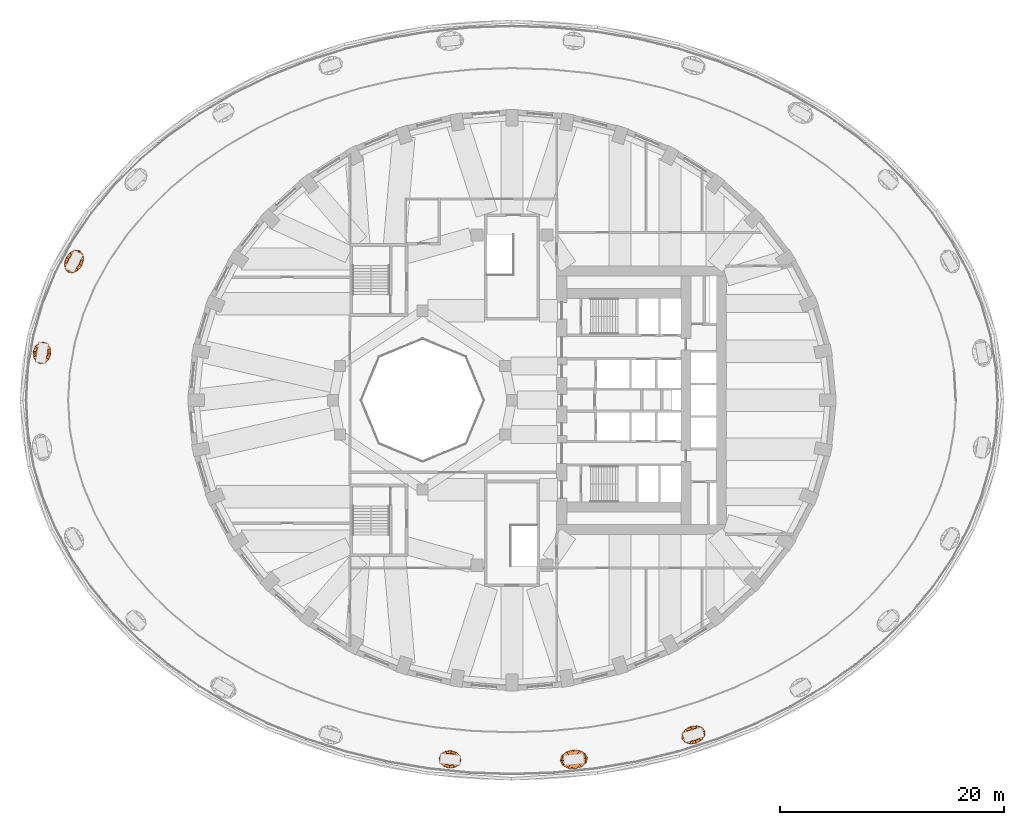
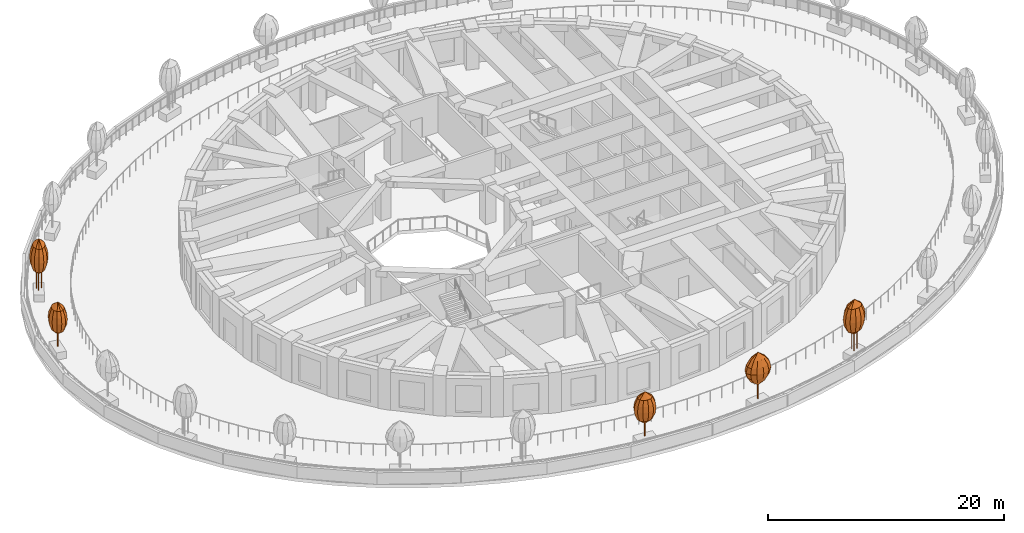
# One storey, part 14 of 17: 5 geographic elements.
"""IFC4 building model written with IfcOpenShell, lengths in metres."""

from ifc_helpers import new_model, si_unit, direction, frame, origin, place, context, subcontext, project, spatial, faceted_brep, material, constituent, constituent_set, type_object, element, save


model = new_model("IFC4")

# Units and contexts
model_context = context("Model", 3, precision=1e-05, world=origin(), true_north=direction((0.0, 1.0)))
body_context = subcontext(model_context, "Body", "Model", "MODEL_VIEW")
ifc_project = project(units=[si_unit("LENGTHUNIT", "METRE"), si_unit("AREAUNIT", "SQUARE_METRE"), si_unit("VOLUMEUNIT", "CUBIC_METRE"), si_unit("PLANEANGLEUNIT", "RADIAN"), si_unit("MASSUNIT", "GRAM", prefix="KILO")], contexts=[model_context])

# Site, building, storey
site_placement = place(None, origin())
site = spatial("IfcSite", under=ifc_project, at=site_placement, CompositionType="ELEMENT")
building_placement = place(site_placement, origin())
building = spatial("IfcBuilding", under=site, at=building_placement, Name="Taillehof Tower", CompositionType="ELEMENT")
storey_placement = place(building_placement, frame((0.0, 0.0, 17.5)))
storey = spatial("IfcBuildingStorey", under=building, at=storey_placement, Name="L03", CompositionType="ELEMENT", Elevation=17.5)

# Geographic elements
ifc_material_1 = material(Name="Tree bark", Category="timber")
ifc_constituent_1 = constituent(ifc_material_1, Name="Trunk", Category="timber")
ifc_material_2 = material(Name="Tree foliage")
ifc_constituent_2 = constituent(ifc_material_2, Name="Crown")
ifc_constituent_set_1 = constituent_set(constituents=[ifc_constituent_1, ifc_constituent_2], Name="Tree TR6 Field maple")
geographic_element_type_1 = type_object("IfcGeographicElementType", Name="Tree TR6 Field maple", PredefinedType="USERDEFINED", material=ifc_constituent_set_1)
geographic_element_1_placement = place(storey_placement, frame((5.5341796875, -32.122802734375, 0.75)))
element("IfcGeographicElement", 1, at=geographic_element_1_placement, inside=storey, type_object=geographic_element_type_1, Name="Tree TR6 Field maple", ObjectType="TREE", PredefinedType="USERDEFINED", context=body_context, shape_type="Brep", body=[
    faceted_brep([(0.070068359375, 0.0, 0.0), (0.049560546875, 0.049560546875, 0.0), (0.049560546875, 0.049560546875, 2.590087890625), (0.070068359375, 0.0, 2.590087890625), (0.0, 0.070068359375, 0.0), (0.0, 0.070068359375, 2.590087890625), (-0.049560546875, 0.049560546875, 0.0), (-0.049560546875, 0.049560546875, 2.590087890625), (-0.070068359375, 0.0, 0.0), (-0.070068359375, 0.0, 2.590087890625), (-0.049560546875, -0.049560546875, 0.0), (-0.049560546875, -0.049560546875, 2.590087890625), (0.0, -0.070068359375, 0.0), (0.0, -0.070068359375, 2.590087890625), (0.049560546875, -0.049560546875, 0.0), (0.049560546875, -0.049560546875, 2.590087890625)], [[[0, 1, 2, 3]], [[1, 4, 5, 2]], [[4, 6, 7, 5]], [[6, 8, 9, 7]], [[8, 10, 11, 9]], [[10, 12, 13, 11]], [[12, 14, 15, 13]], [[14, 0, 3, 15]], [[14, 12, 10, 8, 6, 4, 1, 0]], [[3, 2, 5, 7, 9, 11, 13, 15]]]),
    faceted_brep([(0.0, 0.0, 1.39990234375), (0.586669921875, 0.305908203125, 1.966552734375), (0.705810546875, 0.071044921875, 1.966552734375), (0.310302734375, 0.458740234375, 1.966552734375), (-0.049072265625, 0.488525390625, 1.966552734375), (-0.3955078125, 0.3876953125, 1.966552734375), (-0.6357421875, 0.182861328125, 1.966552734375), (-0.705810546875, -0.071044921875, 1.966552734375), (-0.586669921875, -0.305908203125, 1.966552734375), (-0.310302734375, -0.458740234375, 1.966552734375), (0.049072265625, -0.488525390625, 1.966552734375), (0.3955078125, -0.3876953125, 1.966552734375), (0.6357421875, -0.182861328125, 1.966552734375), (0.910400390625, 0.474609375, 2.533447265625), (1.09521484375, 0.110107421875, 2.533447265625), (0.4814453125, 0.711669921875, 2.533447265625), (-0.076171875, 0.75830078125, 2.533447265625), (-0.61376953125, 0.6015625, 2.533447265625), (-0.986572265625, 0.28369140625, 2.533447265625), (-1.09521484375, -0.110107421875, 2.533447265625), (-0.910400390625, -0.474609375, 2.533447265625), (-0.4814453125, -0.711669921875, 2.533447265625), (0.076171875, -0.75830078125, 2.533447265625), (0.61376953125, -0.6015625, 2.533447265625), (0.986572265625, -0.28369140625, 2.533447265625), (1.021484375, 0.532470703125, 3.10009765625), (1.228759765625, 0.12353515625, 3.10009765625), (0.540283203125, 0.798583984375, 3.10009765625), (-0.085693359375, 0.8505859375, 3.10009765625), (-0.6884765625, 0.6748046875, 3.10009765625), (-1.10693359375, 0.318359375, 3.10009765625), (-1.228759765625, -0.12353515625, 3.10009765625), (-1.021484375, -0.532470703125, 3.10009765625), (-0.540283203125, -0.798583984375, 3.10009765625), (0.085693359375, -0.8505859375, 3.10009765625), (0.6884765625, -0.6748046875, 3.10009765625), (1.10693359375, -0.318359375, 3.10009765625), (0.910400390625, 0.474609375, 3.666748046875), (1.09521484375, 0.110107421875, 3.666748046875), (0.4814453125, 0.711669921875, 3.666748046875), (-0.076171875, 0.75830078125, 3.666748046875), (-0.61376953125, 0.6015625, 3.666748046875), (-0.986572265625, 0.28369140625, 3.666748046875), (-1.09521484375, -0.110107421875, 3.666748046875), (-0.910400390625, -0.474609375, 3.666748046875), (-0.4814453125, -0.711669921875, 3.666748046875), (0.076171875, -0.75830078125, 3.666748046875), (0.61376953125, -0.6015625, 3.666748046875), (0.986572265625, -0.28369140625, 3.666748046875), (0.586669921875, 0.305908203125, 4.2333984375), (0.705810546875, 0.071044921875, 4.2333984375), (0.310302734375, 0.458740234375, 4.2333984375), (-0.049072265625, 0.488525390625, 4.2333984375), (-0.3955078125, 0.3876953125, 4.2333984375), (-0.6357421875, 0.182861328125, 4.2333984375), (-0.705810546875, -0.071044921875, 4.2333984375), (-0.586669921875, -0.305908203125, 4.2333984375), (-0.310302734375, -0.458740234375, 4.2333984375), (0.049072265625, -0.488525390625, 4.2333984375), (0.3955078125, -0.3876953125, 4.2333984375), (0.6357421875, -0.182861328125, 4.2333984375), (0.0, 0.0, 4.800048828125)], [[[0, 1, 2]], [[0, 3, 1]], [[0, 4, 3]], [[0, 5, 4]], [[0, 6, 5]], [[0, 7, 6]], [[0, 8, 7]], [[0, 9, 8]], [[0, 10, 9]], [[0, 11, 10]], [[0, 12, 11]], [[0, 2, 12]], [[2, 1, 13, 14]], [[1, 3, 15, 13]], [[3, 4, 16, 15]], [[4, 5, 17, 16]], [[5, 6, 18, 17]], [[6, 7, 19, 18]], [[7, 8, 20, 19]], [[8, 9, 21, 20]], [[9, 10, 22, 21]], [[10, 11, 23, 22]], [[11, 12, 24, 23]], [[12, 2, 14, 24]], [[14, 13, 25, 26]], [[13, 15, 27, 25]], [[15, 16, 28, 27]], [[16, 17, 29, 28]], [[17, 18, 30, 29]], [[18, 19, 31, 30]], [[19, 20, 32, 31]], [[20, 21, 33, 32]], [[21, 22, 34, 33]], [[22, 23, 35, 34]], [[23, 24, 36, 35]], [[24, 14, 26, 36]], [[26, 25, 37, 38]], [[25, 27, 39, 37]], [[27, 28, 40, 39]], [[28, 29, 41, 40]], [[29, 30, 42, 41]], [[30, 31, 43, 42]], [[31, 32, 44, 43]], [[32, 33, 45, 44]], [[33, 34, 46, 45]], [[34, 35, 47, 46]], [[35, 36, 48, 47]], [[36, 26, 38, 48]], [[38, 37, 49, 50]], [[37, 39, 51, 49]], [[39, 40, 52, 51]], [[40, 41, 53, 52]], [[41, 42, 54, 53]], [[42, 43, 55, 54]], [[43, 44, 56, 55]], [[44, 45, 57, 56]], [[45, 46, 58, 57]], [[46, 47, 59, 58]], [[47, 48, 60, 59]], [[48, 38, 50, 60]], [[50, 49, 61]], [[49, 51, 61]], [[51, 52, 61]], [[52, 53, 61]], [[53, 54, 61]], [[54, 55, 61]], [[55, 56, 61]], [[56, 57, 61]], [[57, 58, 61]], [[58, 59, 61]], [[59, 60, 61]], [[60, 50, 61]]]),
])
ifc_material_3 = material(Name="Tree bark", Category="timber")
ifc_constituent_3 = constituent(ifc_material_3, Name="Trunk", Category="timber")
ifc_material_4 = material(Name="Tree foliage")
ifc_constituent_4 = constituent(ifc_material_4, Name="Crown")
ifc_constituent_set_2 = constituent_set(constituents=[ifc_constituent_3, ifc_constituent_4], Name="Tree TR7 Himalayan birch")
geographic_element_type_2 = type_object("IfcGeographicElementType", Name="Tree TR7 Himalayan birch", PredefinedType="USERDEFINED", material=ifc_constituent_set_2)
geographic_element_2_placement = place(storey_placement, frame((-39.172607421875, 12.39892578125, 0.75)))
element("IfcGeographicElement", 2, at=geographic_element_2_placement, inside=storey, type_object=geographic_element_type_2, Name="Tree TR7 Himalayan birch", ObjectType="TREE", PredefinedType="USERDEFINED", context=body_context, shape_type="Brep", body=[
    faceted_brep([(0.3134765625, 0.0, 0.0), (0.30224609375, 0.027099609375, 0.0), (0.30224609375, 0.027099609375, 2.833984375), (0.3134765625, 0.0, 2.833984375), (0.27490234375, 0.03857421875, 0.0), (0.27490234375, 0.03857421875, 2.833984375), (0.247802734375, 0.027099609375, 0.0), (0.247802734375, 0.027099609375, 2.833984375), (0.236572265625, 0.0, 0.0), (0.236572265625, 0.0, 2.833984375), (0.247802734375, -0.027099609375, 0.0), (0.247802734375, -0.027099609375, 2.833984375), (0.27490234375, -0.03857421875, 0.0), (0.27490234375, -0.03857421875, 2.833984375), (0.30224609375, -0.027099609375, 0.0), (0.30224609375, -0.027099609375, 2.833984375)], [[[0, 1, 2, 3]], [[1, 4, 5, 2]], [[4, 6, 7, 5]], [[6, 8, 9, 7]], [[8, 10, 11, 9]], [[10, 12, 13, 11]], [[12, 14, 15, 13]], [[14, 0, 3, 15]], [[14, 12, 10, 8, 6, 4, 1, 0]], [[3, 2, 5, 7, 9, 11, 13, 15]]]),
    faceted_brep([(-0.09912109375, 0.173095703125, 0.0), (-0.1103515625, 0.200439453125, 0.0), (-0.1103515625, 0.200439453125, 2.833984375), (-0.09912109375, 0.173095703125, 2.833984375), (-0.137451171875, 0.211669921875, 0.0), (-0.137451171875, 0.211669921875, 2.833984375), (-0.164794921875, 0.200439453125, 0.0), (-0.164794921875, 0.200439453125, 2.833984375), (-0.176025390625, 0.173095703125, 0.0), (-0.176025390625, 0.173095703125, 2.833984375), (-0.164794921875, 0.14599609375, 0.0), (-0.164794921875, 0.14599609375, 2.833984375), (-0.137451171875, 0.134765625, 0.0), (-0.137451171875, 0.134765625, 2.833984375), (-0.1103515625, 0.14599609375, 0.0), (-0.1103515625, 0.14599609375, 2.833984375)], [[[0, 1, 2, 3]], [[1, 4, 5, 2]], [[4, 6, 7, 5]], [[6, 8, 9, 7]], [[8, 10, 11, 9]], [[10, 12, 13, 11]], [[12, 14, 15, 13]], [[14, 0, 3, 15]], [[14, 12, 10, 8, 6, 4, 1, 0]], [[3, 2, 5, 7, 9, 11, 13, 15]]]),
    faceted_brep([(-0.09912109375, -0.173095703125, 0.0), (-0.1103515625, -0.14599609375, 0.0), (-0.1103515625, -0.14599609375, 2.833984375), (-0.09912109375, -0.173095703125, 2.833984375), (-0.137451171875, -0.134765625, 0.0), (-0.137451171875, -0.134765625, 2.833984375), (-0.164794921875, -0.14599609375, 0.0), (-0.164794921875, -0.14599609375, 2.833984375), (-0.176025390625, -0.173095703125, 0.0), (-0.176025390625, -0.173095703125, 2.833984375), (-0.164794921875, -0.200439453125, 0.0), (-0.164794921875, -0.200439453125, 2.833984375), (-0.137451171875, -0.211669921875, 0.0), (-0.137451171875, -0.211669921875, 2.833984375), (-0.1103515625, -0.200439453125, 0.0), (-0.1103515625, -0.200439453125, 2.833984375)], [[[0, 1, 2, 3]], [[1, 4, 5, 2]], [[4, 6, 7, 5]], [[6, 8, 9, 7]], [[8, 10, 11, 9]], [[10, 12, 13, 11]], [[12, 14, 15, 13]], [[14, 0, 3, 15]], [[14, 12, 10, 8, 6, 4, 1, 0]], [[3, 2, 5, 7, 9, 11, 13, 15]]]),
    faceted_brep([(0.0, 0.0, 1.56005859375), (-0.06982421875, -0.7021484375, 2.166748046875), (-0.358154296875, -0.66064453125, 2.166748046875), (0.237060546875, -0.5556640625, 2.166748046875), (0.48046875, -0.260498046875, 2.166748046875), (0.594970703125, 0.104736328125, 2.166748046875), (0.55029296875, 0.44189453125, 2.166748046875), (0.358154296875, 0.66064453125, 2.166748046875), (0.06982421875, 0.7021484375, 2.166748046875), (-0.237060546875, 0.5556640625, 2.166748046875), (-0.48046875, 0.260498046875, 2.166748046875), (-0.594970703125, -0.104736328125, 2.166748046875), (-0.55029296875, -0.44189453125, 2.166748046875), (-0.094482421875, -0.949951171875, 2.7734375), (-0.484375, -0.8935546875, 2.7734375), (0.320556640625, -0.751708984375, 2.7734375), (0.64990234375, -0.352294921875, 2.7734375), (0.804931640625, 0.1416015625, 2.7734375), (0.744384765625, 0.59765625, 2.7734375), (0.484375, 0.8935546875, 2.7734375), (0.094482421875, 0.949951171875, 2.7734375), (-0.320556640625, 0.751708984375, 2.7734375), (-0.64990234375, 0.352294921875, 2.7734375), (-0.804931640625, -0.1416015625, 2.7734375), (-0.744384765625, -0.59765625, 2.7734375), (-0.102294921875, -1.028076171875, 3.3798828125), (-0.524169921875, -0.967041015625, 3.3798828125), (0.346923828125, -0.813720703125, 3.3798828125), (0.703369140625, -0.38134765625, 3.3798828125), (0.87109375, 0.1533203125, 3.3798828125), (0.8056640625, 0.64697265625, 3.3798828125), (0.524169921875, 0.967041015625, 3.3798828125), (0.102294921875, 1.028076171875, 3.3798828125), (-0.346923828125, 0.813720703125, 3.3798828125), (-0.703369140625, 0.38134765625, 3.3798828125), (-0.87109375, -0.1533203125, 3.3798828125), (-0.8056640625, -0.64697265625, 3.3798828125), (-0.094482421875, -0.949951171875, 3.986572265625), (-0.484375, -0.8935546875, 3.986572265625), (0.320556640625, -0.751708984375, 3.986572265625), (0.64990234375, -0.352294921875, 3.986572265625), (0.804931640625, 0.1416015625, 3.986572265625), (0.744384765625, 0.59765625, 3.986572265625), (0.484375, 0.8935546875, 3.986572265625), (0.094482421875, 0.949951171875, 3.986572265625), (-0.320556640625, 0.751708984375, 3.986572265625), (-0.64990234375, 0.352294921875, 3.986572265625), (-0.804931640625, -0.1416015625, 3.986572265625), (-0.744384765625, -0.59765625, 3.986572265625), (-0.06982421875, -0.7021484375, 4.59326171875), (-0.358154296875, -0.66064453125, 4.59326171875), (0.237060546875, -0.5556640625, 4.59326171875), (0.48046875, -0.260498046875, 4.59326171875), (0.594970703125, 0.104736328125, 4.59326171875), (0.55029296875, 0.44189453125, 4.59326171875), (0.358154296875, 0.66064453125, 4.59326171875), (0.06982421875, 0.7021484375, 4.59326171875), (-0.237060546875, 0.5556640625, 4.59326171875), (-0.48046875, 0.260498046875, 4.59326171875), (-0.594970703125, -0.104736328125, 4.59326171875), (-0.55029296875, -0.44189453125, 4.59326171875), (0.0, 0.0, 5.199951171875)], [[[0, 1, 2]], [[0, 3, 1]], [[0, 4, 3]], [[0, 5, 4]], [[0, 6, 5]], [[0, 7, 6]], [[0, 8, 7]], [[0, 9, 8]], [[0, 10, 9]], [[0, 11, 10]], [[0, 12, 11]], [[0, 2, 12]], [[2, 1, 13, 14]], [[1, 3, 15, 13]], [[3, 4, 16, 15]], [[4, 5, 17, 16]], [[5, 6, 18, 17]], [[6, 7, 19, 18]], [[7, 8, 20, 19]], [[8, 9, 21, 20]], [[9, 10, 22, 21]], [[10, 11, 23, 22]], [[11, 12, 24, 23]], [[12, 2, 14, 24]], [[14, 13, 25, 26]], [[13, 15, 27, 25]], [[15, 16, 28, 27]], [[16, 17, 29, 28]], [[17, 18, 30, 29]], [[18, 19, 31, 30]], [[19, 20, 32, 31]], [[20, 21, 33, 32]], [[21, 22, 34, 33]], [[22, 23, 35, 34]], [[23, 24, 36, 35]], [[24, 14, 26, 36]], [[26, 25, 37, 38]], [[25, 27, 39, 37]], [[27, 28, 40, 39]], [[28, 29, 41, 40]], [[29, 30, 42, 41]], [[30, 31, 43, 42]], [[31, 32, 44, 43]], [[32, 33, 45, 44]], [[33, 34, 46, 45]], [[34, 35, 47, 46]], [[35, 36, 48, 47]], [[36, 26, 38, 48]], [[38, 37, 49, 50]], [[37, 39, 51, 49]], [[39, 40, 52, 51]], [[40, 41, 53, 52]], [[41, 42, 54, 53]], [[42, 43, 55, 54]], [[43, 44, 56, 55]], [[44, 45, 57, 56]], [[45, 46, 58, 57]], [[46, 47, 59, 58]], [[47, 48, 60, 59]], [[48, 38, 50, 60]], [[50, 49, 61]], [[49, 51, 61]], [[51, 52, 61]], [[52, 53, 61]], [[53, 54, 61]], [[54, 55, 61]], [[55, 56, 61]], [[56, 57, 61]], [[57, 58, 61]], [[58, 59, 61]], [[59, 60, 61]], [[60, 50, 61]]]),
])
geographic_element_3_placement = place(storey_placement, frame((16.225830078125, -29.93359375, 0.75)))
element("IfcGeographicElement", 3, at=geographic_element_3_placement, inside=storey, type_object=geographic_element_type_2, Name="Tree TR7 Himalayan birch", ObjectType="TREE", PredefinedType="USERDEFINED", context=body_context, shape_type="Brep", body=[
    faceted_brep([(0.3134765625, 0.0, 0.0), (0.30224609375, 0.027099609375, 0.0), (0.30224609375, 0.027099609375, 2.833984375), (0.3134765625, 0.0, 2.833984375), (0.27490234375, 0.03857421875, 0.0), (0.27490234375, 0.03857421875, 2.833984375), (0.247802734375, 0.027099609375, 0.0), (0.247802734375, 0.027099609375, 2.833984375), (0.236572265625, 0.0, 0.0), (0.236572265625, 0.0, 2.833984375), (0.247802734375, -0.027099609375, 0.0), (0.247802734375, -0.027099609375, 2.833984375), (0.27490234375, -0.03857421875, 0.0), (0.27490234375, -0.03857421875, 2.833984375), (0.30224609375, -0.027099609375, 0.0), (0.30224609375, -0.027099609375, 2.833984375)], [[[0, 1, 2, 3]], [[1, 4, 5, 2]], [[4, 6, 7, 5]], [[6, 8, 9, 7]], [[8, 10, 11, 9]], [[10, 12, 13, 11]], [[12, 14, 15, 13]], [[14, 0, 3, 15]], [[14, 12, 10, 8, 6, 4, 1, 0]], [[3, 2, 5, 7, 9, 11, 13, 15]]]),
    faceted_brep([(-0.09912109375, 0.173095703125, 0.0), (-0.1103515625, 0.200439453125, 0.0), (-0.1103515625, 0.200439453125, 2.833984375), (-0.09912109375, 0.173095703125, 2.833984375), (-0.137451171875, 0.211669921875, 0.0), (-0.137451171875, 0.211669921875, 2.833984375), (-0.164794921875, 0.200439453125, 0.0), (-0.164794921875, 0.200439453125, 2.833984375), (-0.176025390625, 0.173095703125, 0.0), (-0.176025390625, 0.173095703125, 2.833984375), (-0.164794921875, 0.14599609375, 0.0), (-0.164794921875, 0.14599609375, 2.833984375), (-0.137451171875, 0.134765625, 0.0), (-0.137451171875, 0.134765625, 2.833984375), (-0.1103515625, 0.14599609375, 0.0), (-0.1103515625, 0.14599609375, 2.833984375)], [[[0, 1, 2, 3]], [[1, 4, 5, 2]], [[4, 6, 7, 5]], [[6, 8, 9, 7]], [[8, 10, 11, 9]], [[10, 12, 13, 11]], [[12, 14, 15, 13]], [[14, 0, 3, 15]], [[14, 12, 10, 8, 6, 4, 1, 0]], [[3, 2, 5, 7, 9, 11, 13, 15]]]),
    faceted_brep([(-0.09912109375, -0.173095703125, 0.0), (-0.1103515625, -0.14599609375, 0.0), (-0.1103515625, -0.14599609375, 2.833984375), (-0.09912109375, -0.173095703125, 2.833984375), (-0.137451171875, -0.134765625, 0.0), (-0.137451171875, -0.134765625, 2.833984375), (-0.164794921875, -0.14599609375, 0.0), (-0.164794921875, -0.14599609375, 2.833984375), (-0.176025390625, -0.173095703125, 0.0), (-0.176025390625, -0.173095703125, 2.833984375), (-0.164794921875, -0.200439453125, 0.0), (-0.164794921875, -0.200439453125, 2.833984375), (-0.137451171875, -0.211669921875, 0.0), (-0.137451171875, -0.211669921875, 2.833984375), (-0.1103515625, -0.200439453125, 0.0), (-0.1103515625, -0.200439453125, 2.833984375)], [[[0, 1, 2, 3]], [[1, 4, 5, 2]], [[4, 6, 7, 5]], [[6, 8, 9, 7]], [[8, 10, 11, 9]], [[10, 12, 13, 11]], [[12, 14, 15, 13]], [[14, 0, 3, 15]], [[14, 12, 10, 8, 6, 4, 1, 0]], [[3, 2, 5, 7, 9, 11, 13, 15]]]),
    faceted_brep([(0.0, 0.0, 1.56005859375), (0.537841796875, 0.456787109375, 2.166748046875), (0.71630859375, 0.226806640625, 2.166748046875), (0.21533203125, 0.564453125, 2.166748046875), (-0.164794921875, 0.52099609375, 2.166748046875), (-0.5009765625, 0.337890625, 2.166748046875), (-0.702880859375, 0.064208984375, 2.166748046875), (-0.71630859375, -0.226806640625, 2.166748046875), (-0.537841796875, -0.456787109375, 2.166748046875), (-0.21533203125, -0.564453125, 2.166748046875), (0.164794921875, -0.52099609375, 2.166748046875), (0.5009765625, -0.337890625, 2.166748046875), (0.702880859375, -0.064208984375, 2.166748046875), (0.7275390625, 0.617919921875, 2.7734375), (0.968994140625, 0.306640625, 2.7734375), (0.291259765625, 0.763671875, 2.7734375), (-0.22314453125, 0.70458984375, 2.7734375), (-0.677734375, 0.45703125, 2.7734375), (-0.95068359375, 0.086669921875, 2.7734375), (-0.968994140625, -0.306640625, 2.7734375), (-0.7275390625, -0.617919921875, 2.7734375), (-0.291259765625, -0.763671875, 2.7734375), (0.22314453125, -0.70458984375, 2.7734375), (0.677734375, -0.45703125, 2.7734375), (0.95068359375, -0.086669921875, 2.7734375), (0.78759765625, 0.6689453125, 3.3798828125), (1.048828125, 0.33203125, 3.3798828125), (0.315185546875, 0.826416015625, 3.3798828125), (-0.241455078125, 0.7626953125, 3.3798828125), (-0.7333984375, 0.49462890625, 3.3798828125), (-1.02880859375, 0.093994140625, 3.3798828125), (-1.048828125, -0.33203125, 3.3798828125), (-0.78759765625, -0.6689453125, 3.3798828125), (-0.315185546875, -0.826416015625, 3.3798828125), (0.241455078125, -0.7626953125, 3.3798828125), (0.7333984375, -0.49462890625, 3.3798828125), (1.02880859375, -0.093994140625, 3.3798828125), (0.7275390625, 0.617919921875, 3.986572265625), (0.968994140625, 0.306640625, 3.986572265625), (0.291259765625, 0.763671875, 3.986572265625), (-0.22314453125, 0.70458984375, 3.986572265625), (-0.677734375, 0.45703125, 3.986572265625), (-0.95068359375, 0.086669921875, 3.986572265625), (-0.968994140625, -0.306640625, 3.986572265625), (-0.7275390625, -0.617919921875, 3.986572265625), (-0.291259765625, -0.763671875, 3.986572265625), (0.22314453125, -0.70458984375, 3.986572265625), (0.677734375, -0.45703125, 3.986572265625), (0.95068359375, -0.086669921875, 3.986572265625), (0.537841796875, 0.456787109375, 4.59326171875), (0.71630859375, 0.226806640625, 4.59326171875), (0.21533203125, 0.564453125, 4.59326171875), (-0.164794921875, 0.52099609375, 4.59326171875), (-0.5009765625, 0.337890625, 4.59326171875), (-0.702880859375, 0.064208984375, 4.59326171875), (-0.71630859375, -0.226806640625, 4.59326171875), (-0.537841796875, -0.456787109375, 4.59326171875), (-0.21533203125, -0.564453125, 4.59326171875), (0.164794921875, -0.52099609375, 4.59326171875), (0.5009765625, -0.337890625, 4.59326171875), (0.702880859375, -0.064208984375, 4.59326171875), (0.0, 0.0, 5.199951171875)], [[[0, 1, 2]], [[0, 3, 1]], [[0, 4, 3]], [[0, 5, 4]], [[0, 6, 5]], [[0, 7, 6]], [[0, 8, 7]], [[0, 9, 8]], [[0, 10, 9]], [[0, 11, 10]], [[0, 12, 11]], [[0, 2, 12]], [[2, 1, 13, 14]], [[1, 3, 15, 13]], [[3, 4, 16, 15]], [[4, 5, 17, 16]], [[5, 6, 18, 17]], [[6, 7, 19, 18]], [[7, 8, 20, 19]], [[8, 9, 21, 20]], [[9, 10, 22, 21]], [[10, 11, 23, 22]], [[11, 12, 24, 23]], [[12, 2, 14, 24]], [[14, 13, 25, 26]], [[13, 15, 27, 25]], [[15, 16, 28, 27]], [[16, 17, 29, 28]], [[17, 18, 30, 29]], [[18, 19, 31, 30]], [[19, 20, 32, 31]], [[20, 21, 33, 32]], [[21, 22, 34, 33]], [[22, 23, 35, 34]], [[23, 24, 36, 35]], [[24, 14, 26, 36]], [[26, 25, 37, 38]], [[25, 27, 39, 37]], [[27, 28, 40, 39]], [[28, 29, 41, 40]], [[29, 30, 42, 41]], [[30, 31, 43, 42]], [[31, 32, 44, 43]], [[32, 33, 45, 44]], [[33, 34, 46, 45]], [[34, 35, 47, 46]], [[35, 36, 48, 47]], [[36, 26, 38, 48]], [[38, 37, 49, 50]], [[37, 39, 51, 49]], [[39, 40, 52, 51]], [[40, 41, 53, 52]], [[41, 42, 54, 53]], [[42, 43, 55, 54]], [[43, 44, 56, 55]], [[44, 45, 57, 56]], [[45, 46, 58, 57]], [[46, 47, 59, 58]], [[47, 48, 60, 59]], [[48, 38, 50, 60]], [[50, 49, 61]], [[49, 51, 61]], [[51, 52, 61]], [[52, 53, 61]], [[53, 54, 61]], [[54, 55, 61]], [[55, 56, 61]], [[56, 57, 61]], [[57, 58, 61]], [[58, 59, 61]], [[59, 60, 61]], [[60, 50, 61]]]),
])
ifc_material_5 = material(Name="Tree bark", Category="timber")
ifc_constituent_5 = constituent(ifc_material_5, Name="Trunk", Category="timber")
ifc_material_6 = material(Name="Tree foliage")
ifc_constituent_6 = constituent(ifc_material_6, Name="Crown")
ifc_constituent_set_3 = constituent_set(constituents=[ifc_constituent_5, ifc_constituent_6], Name="Tree TR8 Persian ironwood")
geographic_element_type_3 = type_object("IfcGeographicElementType", Name="Tree TR8 Persian ironwood", PredefinedType="USERDEFINED", material=ifc_constituent_set_3)
geographic_element_4_placement = place(storey_placement, frame((-42.037353515625, 4.22900390625, 0.75)))
element("IfcGeographicElement", 4, at=geographic_element_4_placement, inside=storey, type_object=geographic_element_type_3, Name="Tree TR8 Persian ironwood", ObjectType="TREE", PredefinedType="USERDEFINED", context=body_context, shape_type="Brep", body=[
    faceted_brep([(0.06005859375, 0.0, 0.0), (0.04248046875, 0.04248046875, 0.0), (0.04248046875, 0.04248046875, 2.455078125), (0.06005859375, 0.0, 2.455078125), (0.0, 0.06005859375, 0.0), (0.0, 0.06005859375, 2.455078125), (-0.04248046875, 0.04248046875, 0.0), (-0.04248046875, 0.04248046875, 2.455078125), (-0.06005859375, 0.0, 0.0), (-0.06005859375, 0.0, 2.455078125), (-0.04248046875, -0.04248046875, 0.0), (-0.04248046875, -0.04248046875, 2.455078125), (0.0, -0.06005859375, 0.0), (0.0, -0.06005859375, 2.455078125), (0.04248046875, -0.04248046875, 0.0), (0.04248046875, -0.04248046875, 2.455078125)], [[[0, 1, 2, 3]], [[1, 4, 5, 2]], [[4, 6, 7, 5]], [[6, 8, 9, 7]], [[8, 10, 11, 9]], [[10, 12, 13, 11]], [[12, 14, 15, 13]], [[14, 0, 3, 15]], [[14, 12, 10, 8, 6, 4, 1, 0]], [[3, 2, 5, 7, 9, 11, 13, 15]]]),
    faceted_brep([(0.0, 0.0, 1.300048828125), (0.168701171875, -0.62939453125, 1.85009765625), (-0.115966796875, -0.673095703125, 1.85009765625), (0.408447265625, -0.4169921875, 1.85009765625), (0.53857421875, -0.0927734375, 1.85009765625), (0.5244140625, 0.256103515625, 1.85009765625), (0.36962890625, 0.53662109375, 1.85009765625), (0.115966796875, 0.673095703125, 1.85009765625), (-0.168701171875, 0.62939453125, 1.85009765625), (-0.408447265625, 0.4169921875, 1.85009765625), (-0.53857421875, 0.0927734375, 1.85009765625), (-0.5244140625, -0.256103515625, 1.85009765625), (-0.36962890625, -0.53662109375, 1.85009765625), (0.228271484375, -0.851318359375, 2.39990234375), (-0.156982421875, -0.910400390625, 2.39990234375), (0.552490234375, -0.56396484375, 2.39990234375), (0.728515625, -0.12548828125, 2.39990234375), (0.709228515625, 0.3466796875, 2.39990234375), (0.5, 0.725830078125, 2.39990234375), (0.156982421875, 0.910400390625, 2.39990234375), (-0.228271484375, 0.851318359375, 2.39990234375), (-0.552490234375, 0.56396484375, 2.39990234375), (-0.728515625, 0.12548828125, 2.39990234375), (-0.709228515625, -0.3466796875, 2.39990234375), (-0.5, -0.725830078125, 2.39990234375), (0.2470703125, -0.92138671875, 2.949951171875), (-0.169677734375, -0.985595703125, 2.949951171875), (0.597900390625, -0.6103515625, 2.949951171875), (0.788330078125, -0.1357421875, 2.949951171875), (0.767578125, 0.375, 2.949951171875), (0.541259765625, 0.78564453125, 2.949951171875), (0.169677734375, 0.985595703125, 2.949951171875), (-0.2470703125, 0.92138671875, 2.949951171875), (-0.597900390625, 0.6103515625, 2.949951171875), (-0.788330078125, 0.1357421875, 2.949951171875), (-0.767578125, -0.375, 2.949951171875), (-0.541259765625, -0.78564453125, 2.949951171875), (0.228271484375, -0.851318359375, 3.5), (-0.156982421875, -0.910400390625, 3.5), (0.552490234375, -0.56396484375, 3.5), (0.728515625, -0.12548828125, 3.5), (0.709228515625, 0.3466796875, 3.5), (0.5, 0.725830078125, 3.5), (0.156982421875, 0.910400390625, 3.5), (-0.228271484375, 0.851318359375, 3.5), (-0.552490234375, 0.56396484375, 3.5), (-0.728515625, 0.12548828125, 3.5), (-0.709228515625, -0.3466796875, 3.5), (-0.5, -0.725830078125, 3.5), (0.168701171875, -0.62939453125, 4.050048828125), (-0.115966796875, -0.673095703125, 4.050048828125), (0.408447265625, -0.4169921875, 4.050048828125), (0.53857421875, -0.0927734375, 4.050048828125), (0.5244140625, 0.256103515625, 4.050048828125), (0.36962890625, 0.53662109375, 4.050048828125), (0.115966796875, 0.673095703125, 4.050048828125), (-0.168701171875, 0.62939453125, 4.050048828125), (-0.408447265625, 0.4169921875, 4.050048828125), (-0.53857421875, 0.0927734375, 4.050048828125), (-0.5244140625, -0.256103515625, 4.050048828125), (-0.36962890625, -0.53662109375, 4.050048828125), (0.0, 0.0, 4.60009765625)], [[[0, 1, 2]], [[0, 3, 1]], [[0, 4, 3]], [[0, 5, 4]], [[0, 6, 5]], [[0, 7, 6]], [[0, 8, 7]], [[0, 9, 8]], [[0, 10, 9]], [[0, 11, 10]], [[0, 12, 11]], [[0, 2, 12]], [[2, 1, 13, 14]], [[1, 3, 15, 13]], [[3, 4, 16, 15]], [[4, 5, 17, 16]], [[5, 6, 18, 17]], [[6, 7, 19, 18]], [[7, 8, 20, 19]], [[8, 9, 21, 20]], [[9, 10, 22, 21]], [[10, 11, 23, 22]], [[11, 12, 24, 23]], [[12, 2, 14, 24]], [[14, 13, 25, 26]], [[13, 15, 27, 25]], [[15, 16, 28, 27]], [[16, 17, 29, 28]], [[17, 18, 30, 29]], [[18, 19, 31, 30]], [[19, 20, 32, 31]], [[20, 21, 33, 32]], [[21, 22, 34, 33]], [[22, 23, 35, 34]], [[23, 24, 36, 35]], [[24, 14, 26, 36]], [[26, 25, 37, 38]], [[25, 27, 39, 37]], [[27, 28, 40, 39]], [[28, 29, 41, 40]], [[29, 30, 42, 41]], [[30, 31, 43, 42]], [[31, 32, 44, 43]], [[32, 33, 45, 44]], [[33, 34, 46, 45]], [[34, 35, 47, 46]], [[35, 36, 48, 47]], [[36, 26, 38, 48]], [[38, 37, 49, 50]], [[37, 39, 51, 49]], [[39, 40, 52, 51]], [[40, 41, 53, 52]], [[41, 42, 54, 53]], [[42, 43, 55, 54]], [[43, 44, 56, 55]], [[44, 45, 57, 56]], [[45, 46, 58, 57]], [[46, 47, 59, 58]], [[47, 48, 60, 59]], [[48, 38, 50, 60]], [[50, 49, 61]], [[49, 51, 61]], [[51, 52, 61]], [[52, 53, 61]], [[53, 54, 61]], [[54, 55, 61]], [[55, 56, 61]], [[56, 57, 61]], [[57, 58, 61]], [[58, 59, 61]], [[59, 60, 61]], [[60, 50, 61]]]),
])
geographic_element_5_placement = place(storey_placement, frame((-5.5341796875, -32.122802734375, 0.75)))
element("IfcGeographicElement", 5, at=geographic_element_5_placement, inside=storey, type_object=geographic_element_type_3, Name="Tree TR8 Persian ironwood", ObjectType="TREE", PredefinedType="USERDEFINED", context=body_context, shape_type="Brep", body=[
    faceted_brep([(0.06005859375, 0.0, 0.0), (0.04248046875, 0.04248046875, 0.0), (0.04248046875, 0.04248046875, 2.455078125), (0.06005859375, 0.0, 2.455078125), (0.0, 0.06005859375, 0.0), (0.0, 0.06005859375, 2.455078125), (-0.04248046875, 0.04248046875, 0.0), (-0.04248046875, 0.04248046875, 2.455078125), (-0.06005859375, 0.0, 0.0), (-0.06005859375, 0.0, 2.455078125), (-0.04248046875, -0.04248046875, 0.0), (-0.04248046875, -0.04248046875, 2.455078125), (0.0, -0.06005859375, 0.0), (0.0, -0.06005859375, 2.455078125), (0.04248046875, -0.04248046875, 0.0), (0.04248046875, -0.04248046875, 2.455078125)], [[[0, 1, 2, 3]], [[1, 4, 5, 2]], [[4, 6, 7, 5]], [[6, 8, 9, 7]], [[8, 10, 11, 9]], [[10, 12, 13, 11]], [[12, 14, 15, 13]], [[14, 0, 3, 15]], [[14, 12, 10, 8, 6, 4, 1, 0]], [[3, 2, 5, 7, 9, 11, 13, 15]]]),
    faceted_brep([(0.0, 0.0, 1.300048828125), (0.615966796875, 0.212646484375, 1.85009765625), (0.6796875, -0.068359375, 1.85009765625), (0.38720703125, 0.436767578125, 1.85009765625), (0.0546875, 0.543701171875, 1.85009765625), (-0.29248046875, 0.505126953125, 1.85009765625), (-0.561279296875, 0.3310546875, 1.85009765625), (-0.6796875, 0.068359375, 1.85009765625), (-0.615966796875, -0.212646484375, 1.85009765625), (-0.38720703125, -0.436767578125, 1.85009765625), (-0.0546875, -0.543701171875, 1.85009765625), (0.29248046875, -0.505126953125, 1.85009765625), (0.561279296875, -0.3310546875, 1.85009765625), (0.8330078125, 0.28759765625, 2.39990234375), (0.919189453125, -0.092529296875, 2.39990234375), (0.523681640625, 0.590576171875, 2.39990234375), (0.073974609375, 0.7353515625, 2.39990234375), (-0.3955078125, 0.68310546875, 2.39990234375), (-0.759033203125, 0.44775390625, 2.39990234375), (-0.919189453125, 0.092529296875, 2.39990234375), (-0.8330078125, -0.28759765625, 2.39990234375), (-0.523681640625, -0.590576171875, 2.39990234375), (-0.073974609375, -0.7353515625, 2.39990234375), (0.3955078125, -0.68310546875, 2.39990234375), (0.759033203125, -0.44775390625, 2.39990234375), (0.901611328125, 0.311279296875, 2.949951171875), (0.994873046875, -0.10009765625, 2.949951171875), (0.56689453125, 0.639404296875, 2.949951171875), (0.080078125, 0.7958984375, 2.949951171875), (-0.42822265625, 0.739501953125, 2.949951171875), (-0.821533203125, 0.484619140625, 2.949951171875), (-0.994873046875, 0.10009765625, 2.949951171875), (-0.901611328125, -0.311279296875, 2.949951171875), (-0.56689453125, -0.639404296875, 2.949951171875), (-0.080078125, -0.7958984375, 2.949951171875), (0.42822265625, -0.739501953125, 2.949951171875), (0.821533203125, -0.484619140625, 2.949951171875), (0.8330078125, 0.28759765625, 3.5), (0.919189453125, -0.092529296875, 3.5), (0.523681640625, 0.590576171875, 3.5), (0.073974609375, 0.7353515625, 3.5), (-0.3955078125, 0.68310546875, 3.5), (-0.759033203125, 0.44775390625, 3.5), (-0.919189453125, 0.092529296875, 3.5), (-0.8330078125, -0.28759765625, 3.5), (-0.523681640625, -0.590576171875, 3.5), (-0.073974609375, -0.7353515625, 3.5), (0.3955078125, -0.68310546875, 3.5), (0.759033203125, -0.44775390625, 3.5), (0.615966796875, 0.212646484375, 4.050048828125), (0.6796875, -0.068359375, 4.050048828125), (0.38720703125, 0.436767578125, 4.050048828125), (0.0546875, 0.543701171875, 4.050048828125), (-0.29248046875, 0.505126953125, 4.050048828125), (-0.561279296875, 0.3310546875, 4.050048828125), (-0.6796875, 0.068359375, 4.050048828125), (-0.615966796875, -0.212646484375, 4.050048828125), (-0.38720703125, -0.436767578125, 4.050048828125), (-0.0546875, -0.543701171875, 4.050048828125), (0.29248046875, -0.505126953125, 4.050048828125), (0.561279296875, -0.3310546875, 4.050048828125), (0.0, 0.0, 4.60009765625)], [[[0, 1, 2]], [[0, 3, 1]], [[0, 4, 3]], [[0, 5, 4]], [[0, 6, 5]], [[0, 7, 6]], [[0, 8, 7]], [[0, 9, 8]], [[0, 10, 9]], [[0, 11, 10]], [[0, 12, 11]], [[0, 2, 12]], [[2, 1, 13, 14]], [[1, 3, 15, 13]], [[3, 4, 16, 15]], [[4, 5, 17, 16]], [[5, 6, 18, 17]], [[6, 7, 19, 18]], [[7, 8, 20, 19]], [[8, 9, 21, 20]], [[9, 10, 22, 21]], [[10, 11, 23, 22]], [[11, 12, 24, 23]], [[12, 2, 14, 24]], [[14, 13, 25, 26]], [[13, 15, 27, 25]], [[15, 16, 28, 27]], [[16, 17, 29, 28]], [[17, 18, 30, 29]], [[18, 19, 31, 30]], [[19, 20, 32, 31]], [[20, 21, 33, 32]], [[21, 22, 34, 33]], [[22, 23, 35, 34]], [[23, 24, 36, 35]], [[24, 14, 26, 36]], [[26, 25, 37, 38]], [[25, 27, 39, 37]], [[27, 28, 40, 39]], [[28, 29, 41, 40]], [[29, 30, 42, 41]], [[30, 31, 43, 42]], [[31, 32, 44, 43]], [[32, 33, 45, 44]], [[33, 34, 46, 45]], [[34, 35, 47, 46]], [[35, 36, 48, 47]], [[36, 26, 38, 48]], [[38, 37, 49, 50]], [[37, 39, 51, 49]], [[39, 40, 52, 51]], [[40, 41, 53, 52]], [[41, 42, 54, 53]], [[42, 43, 55, 54]], [[43, 44, 56, 55]], [[44, 45, 57, 56]], [[45, 46, 58, 57]], [[46, 47, 59, 58]], [[47, 48, 60, 59]], [[48, 38, 50, 60]], [[50, 49, 61]], [[49, 51, 61]], [[51, 52, 61]], [[52, 53, 61]], [[53, 54, 61]], [[54, 55, 61]], [[55, 56, 61]], [[56, 57, 61]], [[57, 58, 61]], [[58, 59, 61]], [[59, 60, 61]], [[60, 50, 61]]]),
])

save(model, "model.ifc")
